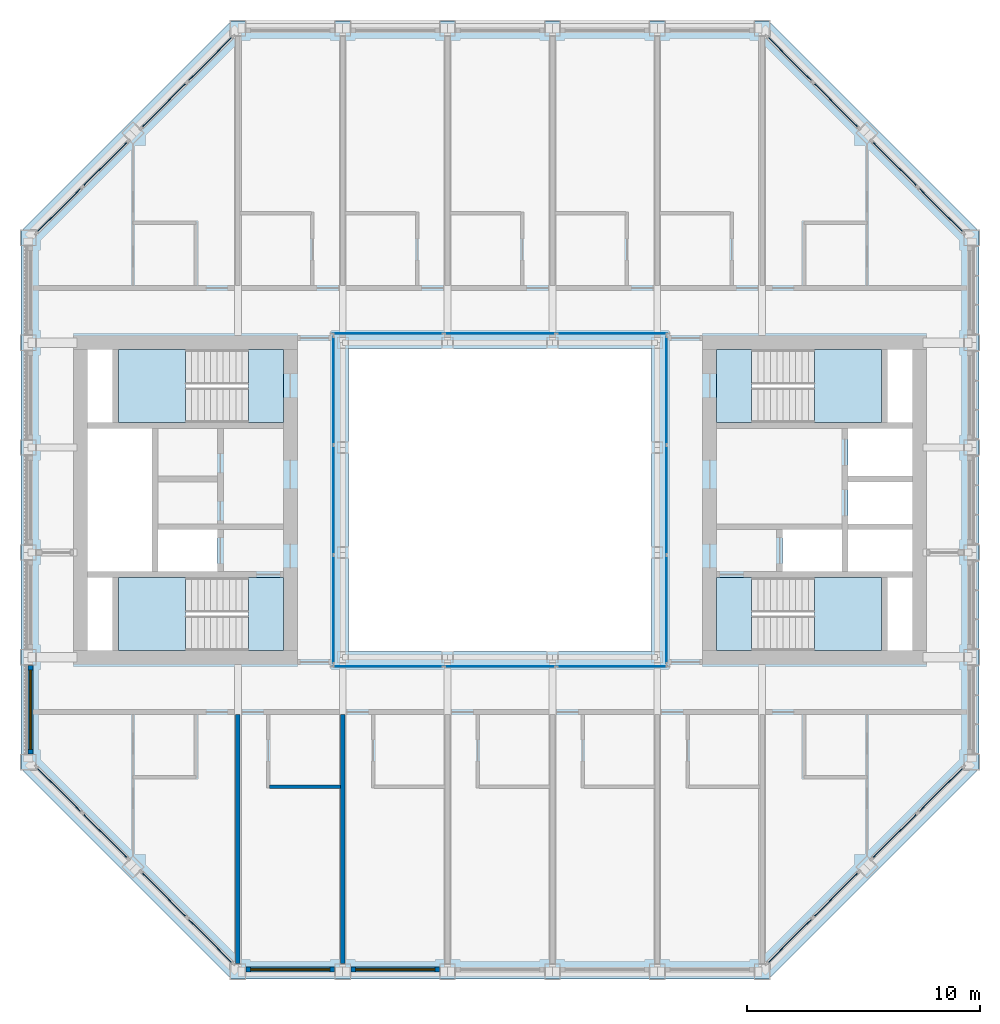
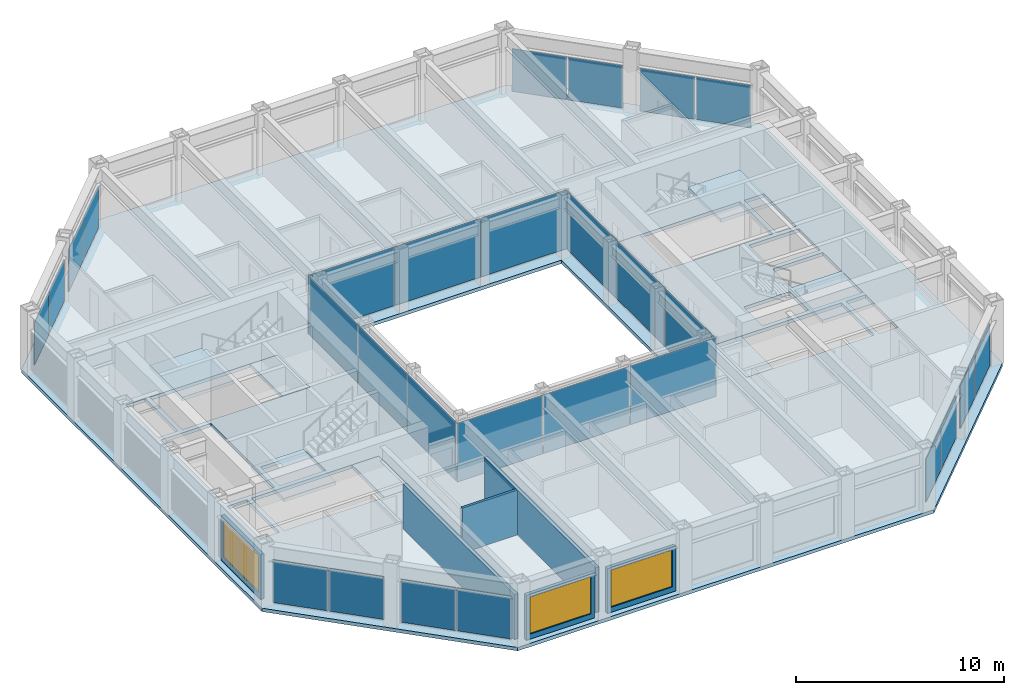
# One storey, part 8 of 18: 28 plates, 9 slabs, 6 walls, 3 windows, 3 openings, 16 elements without a shape of their own.
"""IFC4 building model written with IfcOpenShell, lengths in metres."""

import ifcopenshell
import ifcopenshell.guid

model = None  # the IFC model being written
_history = None  # IfcOwnerHistory: only IFC2X3 demands one
_inside = {}  # id of a spatial element -> (the spatial element, [elements in it])
_under = {}  # id of a project, library or spatial element -> (it, [spatial elements below it])
_declared = {}  # id of a project -> (the project, [libraries it declares])
_typed = {}  # id of a type object -> (the type object, [elements of that type])
_made_of = {}  # id of a material, layer set ... -> (it, [elements and type objects made of it])


def new_model(schema):
    """Start an empty IFC model of exactly this schema.

    Asked for "IFC4X3", IfcOpenShell would pick the latest addendum, in which some entities
    have other attributes; the version numbers below select the first issue.
    IFC2X3 requires an IfcOwnerHistory on every rooted entity: one is made here for all.
    """
    global model, _history
    if schema == "IFC4X3":
        model = ifcopenshell.file(schema_version=(4, 3, 0, 0))
    else:
        model = ifcopenshell.file(schema=schema)
    _inside.clear()
    _under.clear()
    _declared.clear()
    _typed.clear()
    _made_of.clear()
    _history = None
    if model.schema == "IFC2X3":
        org = make("IfcOrganization", Name="unknown")
        user = make(
            "IfcPersonAndOrganization",
            ThePerson=make("IfcPerson", FamilyName="unknown"),
            TheOrganization=org,
        )
        app = make(
            "IfcApplication",
            ApplicationDeveloper=org,
            Version="unknown",
            ApplicationFullName="unknown",
            ApplicationIdentifier="unknown",
        )
        _history = make(
            "IfcOwnerHistory",
            OwningUser=user,
            OwningApplication=app,
            ChangeAction="ADDED",
            CreationDate=0,
        )
    return model


def make(cls, **values):
    """One entity of the class cls with the attributes given. An attribute that is None is left unset."""
    return model.create_entity(
        cls, **{name: value for name, value in values.items() if value is not None}
    )


def rooted(cls, **values):
    """An entity with a GlobalId (a new one), such as an element, a storey or a relation."""
    return make(cls, GlobalId=ifcopenshell.guid.new(), OwnerHistory=_history, **values)


def si_unit(unit_type, name, prefix=None):
    """IfcSIUnit, for example si_unit("LENGTHUNIT", "METRE", prefix="MILLI")."""
    return make("IfcSIUnit", UnitType=unit_type, Prefix=prefix, Name=name)


def assignment(units):
    """IfcUnitAssignment: the units of a project."""
    return None if units is None else make("IfcUnitAssignment", Units=units)


def point(xyz):
    """IfcCartesianPoint."""
    return None if xyz is None else make("IfcCartesianPoint", Coordinates=xyz)


def direction(xyz):
    """IfcDirection."""
    return None if xyz is None else make("IfcDirection", DirectionRatios=xyz)


def frame(location, z_axis=None, x_axis=None):
    """IfcAxis2Placement3D, a coordinate frame: its origin and axes. An axis left out is left unset."""
    return make(
        "IfcAxis2Placement3D",
        Location=point(location),
        Axis=direction(z_axis),
        RefDirection=direction(x_axis),
    )


def frame_2d(location, x_axis=None):
    """IfcAxis2Placement2D, a coordinate frame in the plane: its origin and x axis."""
    return make(
        "IfcAxis2Placement2D", Location=point(location), RefDirection=direction(x_axis)
    )


def origin():
    """The frame at (0, 0, 0) with its axes left unset."""
    return frame((0.0, 0.0, 0.0))


def origin_2d():
    """The frame at (0, 0) in the plane with its x axis left unset."""
    return frame_2d((0.0, 0.0))


def place(relative_to, where):
    """IfcLocalPlacement: puts the frame where relative to a parent placement (None: the world)."""
    return make(
        "IfcLocalPlacement", PlacementRelTo=relative_to, RelativePlacement=where
    )


def context(
    kind, dimensions, precision=None, world=None, true_north=None, identifier=None
):
    """IfcGeometricRepresentationContext, for example the 3D "Model" context."""
    return make(
        "IfcGeometricRepresentationContext",
        ContextIdentifier=identifier,
        ContextType=kind,
        CoordinateSpaceDimension=dimensions,
        Precision=precision,
        WorldCoordinateSystem=world,
        TrueNorth=true_north,
    )


def subcontext(parent, identifier, kind, view, scale=None):
    """IfcGeometricRepresentationSubContext, for example "Body" below "Model"."""
    return make(
        "IfcGeometricRepresentationSubContext",
        ContextIdentifier=identifier,
        ContextType=kind,
        ParentContext=parent,
        TargetScale=scale,
        TargetView=view,
    )


def project(units=None, contexts=None):
    """IfcProject with its units and contexts."""
    return rooted(
        "IfcProject",
        Name="project",
        RepresentationContexts=contexts,
        UnitsInContext=assignment(units),
    )


def spatial(cls, under=None, at=None, **own):
    """A site, building, storey or space (cls), placed at a placement, below another one or the project."""
    s = rooted(cls, ObjectPlacement=at, **own)
    if under is not None:
        _under.setdefault(under.id(), (under, []))[1].append(s)
    return s


def polyline(points):
    """IfcPolyline through the points."""
    return make("IfcPolyline", Points=[point(p) for p in points])


def profile(cls, at=None, kind="AREA", **sizes):
    """A parametric profile (cls). Its sizes go by their IFC names, for example OverallWidth=200.0."""
    return make(cls, ProfileType=kind, Position=at, **sizes)


def rectangle(**sizes):
    """IfcRectangleProfileDef."""
    return profile("IfcRectangleProfileDef", **sizes)


def outline(outer, holes=None, kind="AREA"):
    """IfcArbitraryClosedProfileDef: a profile drawn as a closed curve; with holes, ...WithVoids."""
    if holes is None:
        return make("IfcArbitraryClosedProfileDef", ProfileType=kind, OuterCurve=outer)
    return make(
        "IfcArbitraryProfileDefWithVoids",
        ProfileType=kind,
        OuterCurve=outer,
        InnerCurves=holes,
    )


def extrude(swept, where, along, depth):
    """IfcExtrudedAreaSolid: the profile swept, set in the frame where, extruded along a direction by depth."""
    return make(
        "IfcExtrudedAreaSolid",
        SweptArea=swept,
        Position=where,
        ExtrudedDirection=direction(along),
        Depth=depth,
    )


def shape(context_of_items, identifier, shape_type, items):
    """IfcShapeRepresentation: the items that make up one representation, for example the "Body"."""
    return make(
        "IfcShapeRepresentation",
        ContextOfItems=context_of_items,
        RepresentationIdentifier=identifier,
        RepresentationType=shape_type,
        Items=items,
    )


def material(Name=None, Category=None):
    """IfcMaterial."""
    return make("IfcMaterial", Name=Name, Category=Category)


def layer(
    of_material, thickness, ventilated=None, Name=None, Category=None, Priority=None
):
    """IfcMaterialLayer: one layer of a wall or slab, of a material (None: an air gap)."""
    return make(
        "IfcMaterialLayer",
        Material=of_material,
        LayerThickness=thickness,
        IsVentilated=ventilated,
        Name=Name,
        Category=Category,
        Priority=Priority,
    )


def layer_set(layers, Name=None):
    """IfcMaterialLayerSet."""
    return make("IfcMaterialLayerSet", MaterialLayers=layers, LayerSetName=Name)


def made_of(thing, what):
    """Note that an element or type object is made of a material, layer set ...; save() writes the relation."""
    if what is not None:
        _made_of.setdefault(what.id(), (what, []))[1].append(thing)
    return thing


def type_object(cls, material=None, **own):
    """A type object (cls), such as IfcWallType, which elements share."""
    return made_of(rooted(cls, **own), material)


def element(
    cls,
    number,
    at=None,
    inside=None,
    cuts=None,
    type_object=None,
    material=None,
    context=None,
    identifier="Body",
    shape_type=None,
    held_by="IfcProductDefinitionShape",
    body=None,
    shapes=None,
    **own,
):
    """One element of the class cls, such as IfcWall. Its Tag is "e" and its number.

    at: its placement. inside: the storey or other place that contains it. cuts: it is an
    opening in that element (IfcRelVoidsElement). A single representation is given by context,
    identifier, shape_type and body (its items); several are given by shapes. held_by: the class
    of the entity that holds the representations. save() writes the other relations.
    """
    e = rooted(cls, Tag="e%d" % number, ObjectPlacement=at, **own)
    if body is not None:
        shapes = [shape(context, identifier, shape_type, body)]
    if shapes is not None:
        e.Representation = make(held_by, Representations=shapes)
    if inside is not None:
        _inside.setdefault(inside.id(), (inside, []))[1].append(e)
    if cuts is not None:
        rooted(
            "IfcRelVoidsElement", RelatingBuildingElement=cuts, RelatedOpeningElement=e
        )
    if type_object is not None:
        _typed.setdefault(type_object.id(), (type_object, []))[1].append(e)
    return made_of(e, material)


def fill(opening, filler):
    """IfcRelFillsElement: the door or window that sits in an opening."""
    return rooted(
        "IfcRelFillsElement",
        RelatingOpeningElement=opening,
        RelatedBuildingElement=filler,
    )


def aggregate(whole, parts):
    """IfcRelAggregates: a whole, such as a stair, and the parts it consists of."""
    return rooted("IfcRelAggregates", RelatingObject=whole, RelatedObjects=parts)


def save(model, path):
    """Write the relations noted so far, then the file.

    IfcRelAggregates (storeys below a building ...), IfcRelContainedInSpatialStructure (elements
    in a storey), IfcRelDefinesByType, IfcRelAssociatesMaterial and IfcRelDeclares: one each for
    every whole, place, type object, material and project.
    """
    for whole, parts in _under.values():
        aggregate(whole, parts)
    for where, things in _inside.values():
        rooted(
            "IfcRelContainedInSpatialStructure",
            RelatedElements=things,
            RelatingStructure=where,
        )
    for kind, things in _typed.values():
        rooted("IfcRelDefinesByType", RelatedObjects=things, RelatingType=kind)
    for what, things in _made_of.values():
        rooted("IfcRelAssociatesMaterial", RelatedObjects=things, RelatingMaterial=what)
    for by, libraries in _declared.values():
        rooted("IfcRelDeclares", RelatingContext=by, RelatedDefinitions=libraries)
    model.write(path)


model = new_model("IFC4")

# Units and contexts
model_context = context("Model", 3, precision=1e-05, world=origin(), true_north=direction((0.0, 1.0)))
body_context = subcontext(model_context, "Body", "Model", "MODEL_VIEW")
ifc_project = project(units=[si_unit("LENGTHUNIT", "METRE"), si_unit("AREAUNIT", "SQUARE_METRE"), si_unit("VOLUMEUNIT", "CUBIC_METRE"), si_unit("PLANEANGLEUNIT", "RADIAN"), si_unit("MASSUNIT", "GRAM", prefix="KILO")], contexts=[model_context])

# Site, building, storey
site_placement = place(None, origin())
site = spatial("IfcSite", under=ifc_project, at=site_placement, CompositionType="ELEMENT")
building_placement = place(site_placement, origin())
building = spatial("IfcBuilding", under=site, at=building_placement, Name="Msasa Ring Tower", CompositionType="ELEMENT")
storey_placement = place(building_placement, frame((0.0, 0.0, 208.300048828125)))
storey = spatial("IfcBuildingStorey", under=building, at=storey_placement, Name="L54", CompositionType="ELEMENT", Elevation=208.300048828125)

# Curtain wall, plates
ifc_material_1 = material(Name="Aluminium curtain wall with clear glass", Category="aluminium")
curtain_wall_type_1 = type_object("IfcCurtainWallType", Name="CW-C CHAMFER CORNER CURTAIN WALL", PredefinedType="NOTDEFINED", material=ifc_material_1)
curtain_wall_1_placement = place(storey_placement, origin())
curtain_wall_1 = element("IfcCurtainWall", 1, at=curtain_wall_1_placement, inside=storey, type_object=curtain_wall_type_1, Name="Chamfer corner curtain wall SE L54", PredefinedType="NOTDEFINED")
ifc_material_2 = material(Name="Clear laminated insulating glass unit", Category="glass")
ifc_layer_1 = layer(ifc_material_2, 0.031982421875)
ifc_layer_set_1 = layer_set([ifc_layer_1], Name="CW-C GLASS PANEL 32")
plate_type_1 = type_object("IfcPlateType", Name="CW-C GLASS PANEL 32", PredefinedType="CURTAIN_PANEL", material=ifc_layer_set_1)
plate_1_placement = place(storey_placement, frame((12.44140625, -18.917236328125, 0.06494140625), z_axis=(0.0, 0.0, 1.0), x_axis=(0.707106781187, 0.707106781187, 0.0)))
plate_1 = element("IfcPlate", 2, at=plate_1_placement, type_object=plate_type_1, Name="CW-C panel 1.1", PredefinedType="CURTAIN_PANEL", context=body_context, shape_type="SweptSolid", body=[
    extrude(rectangle(XDim=2.7294921875, YDim=0.031982421875, at=origin_2d()), origin(), (0.0, 0.0, 1.0), 2.4990234375),
])
plate_2_placement = place(storey_placement, frame((14.417236328125, -16.94140625, 0.06494140625), z_axis=(0.0, 0.0, 1.0), x_axis=(0.707106781187, 0.707106781187, 0.0)))
plate_2 = element("IfcPlate", 3, at=plate_2_placement, type_object=plate_type_1, Name="CW-C panel 2.1", PredefinedType="CURTAIN_PANEL", context=body_context, shape_type="SweptSolid", body=[
    extrude(rectangle(XDim=2.7294921875, YDim=0.031982421875, at=origin_2d()), origin(), (0.0, 0.0, 1.0), 2.4990234375),
])
aggregate(curtain_wall_1, [plate_1, plate_2])

curtain_wall_2_placement = place(storey_placement, origin())
curtain_wall_2 = element("IfcCurtainWall", 4, at=curtain_wall_2_placement, inside=storey, type_object=curtain_wall_type_1, Name="Chamfer corner curtain wall SE L54", PredefinedType="NOTDEFINED")
plate_3_placement = place(storey_placement, frame((16.94140625, -14.417236328125, 0.06494140625), z_axis=(0.0, 0.0, 1.0), x_axis=(0.707106781187, 0.707106781187, 0.0)))
plate_3 = element("IfcPlate", 5, at=plate_3_placement, type_object=plate_type_1, Name="CW-C panel 1.1", PredefinedType="CURTAIN_PANEL", context=body_context, shape_type="SweptSolid", body=[
    extrude(rectangle(XDim=2.7294921875, YDim=0.031982421875, at=origin_2d()), origin(), (0.0, 0.0, 1.0), 2.4990234375),
])
plate_4_placement = place(storey_placement, frame((18.917236328125, -12.44140625, 0.06494140625), z_axis=(0.0, 0.0, 1.0), x_axis=(0.707106781187, 0.707106781187, 0.0)))
plate_4 = element("IfcPlate", 6, at=plate_4_placement, type_object=plate_type_1, Name="CW-C panel 2.1", PredefinedType="CURTAIN_PANEL", context=body_context, shape_type="SweptSolid", body=[
    extrude(rectangle(XDim=2.7294921875, YDim=0.031982421875, at=origin_2d()), origin(), (0.0, 0.0, 1.0), 2.4990234375),
])
aggregate(curtain_wall_2, [plate_3, plate_4])

curtain_wall_3_placement = place(storey_placement, origin())
curtain_wall_3 = element("IfcCurtainWall", 7, at=curtain_wall_3_placement, inside=storey, type_object=curtain_wall_type_1, Name="Chamfer corner curtain wall NE L54", PredefinedType="NOTDEFINED")
plate_5_placement = place(storey_placement, frame((14.417236328125, 16.94140625, 0.06494140625), z_axis=(0.0, 0.0, 1.0), x_axis=(-0.707106781187, 0.707106781187, 0.0)))
plate_5 = element("IfcPlate", 8, at=plate_5_placement, type_object=plate_type_1, Name="CW-C panel 1.1", PredefinedType="CURTAIN_PANEL", context=body_context, shape_type="SweptSolid", body=[
    extrude(rectangle(XDim=2.7294921875, YDim=0.031982421875, at=origin_2d()), origin(), (0.0, 0.0, 1.0), 2.4990234375),
])
plate_6_placement = place(storey_placement, frame((12.44140625, 18.917236328125, 0.06494140625), z_axis=(0.0, 0.0, 1.0), x_axis=(-0.707106781187, 0.707106781187, 0.0)))
plate_6 = element("IfcPlate", 9, at=plate_6_placement, type_object=plate_type_1, Name="CW-C panel 2.1", PredefinedType="CURTAIN_PANEL", context=body_context, shape_type="SweptSolid", body=[
    extrude(rectangle(XDim=2.7294921875, YDim=0.031982421875, at=origin_2d()), origin(), (0.0, 0.0, 1.0), 2.4990234375),
])
aggregate(curtain_wall_3, [plate_5, plate_6])

curtain_wall_4_placement = place(storey_placement, origin())
curtain_wall_4 = element("IfcCurtainWall", 10, at=curtain_wall_4_placement, inside=storey, type_object=curtain_wall_type_1, Name="Chamfer corner curtain wall NE L54", PredefinedType="NOTDEFINED")
plate_7_placement = place(storey_placement, frame((18.917236328125, 12.44140625, 0.06494140625), z_axis=(0.0, 0.0, 1.0), x_axis=(-0.707106781187, 0.707106781187, 0.0)))
plate_7 = element("IfcPlate", 11, at=plate_7_placement, type_object=plate_type_1, Name="CW-C panel 1.1", PredefinedType="CURTAIN_PANEL", context=body_context, shape_type="SweptSolid", body=[
    extrude(rectangle(XDim=2.7294921875, YDim=0.031982421875, at=origin_2d()), origin(), (0.0, 0.0, 1.0), 2.4990234375),
])
plate_8_placement = place(storey_placement, frame((16.94140625, 14.417236328125, 0.06494140625), z_axis=(0.0, 0.0, 1.0), x_axis=(-0.707106781187, 0.707106781187, 0.0)))
plate_8 = element("IfcPlate", 12, at=plate_8_placement, type_object=plate_type_1, Name="CW-C panel 2.1", PredefinedType="CURTAIN_PANEL", context=body_context, shape_type="SweptSolid", body=[
    extrude(rectangle(XDim=2.7294921875, YDim=0.031982421875, at=origin_2d()), origin(), (0.0, 0.0, 1.0), 2.4990234375),
])
aggregate(curtain_wall_4, [plate_7, plate_8])

curtain_wall_5_placement = place(storey_placement, origin())
curtain_wall_5 = element("IfcCurtainWall", 13, at=curtain_wall_5_placement, inside=storey, type_object=curtain_wall_type_1, Name="Chamfer corner curtain wall NW L54", PredefinedType="NOTDEFINED")
plate_9_placement = place(storey_placement, frame((-16.94140625, 14.417236328125, 0.06494140625), z_axis=(0.0, 0.0, 1.0), x_axis=(-0.707106781187, -0.707106781187, 0.0)))
plate_9 = element("IfcPlate", 14, at=plate_9_placement, type_object=plate_type_1, Name="CW-C panel 1.1", PredefinedType="CURTAIN_PANEL", context=body_context, shape_type="SweptSolid", body=[
    extrude(rectangle(XDim=2.7294921875, YDim=0.031982421875, at=origin_2d()), origin(), (0.0, 0.0, 1.0), 2.4990234375),
])
plate_10_placement = place(storey_placement, frame((-18.917236328125, 12.44140625, 0.06494140625), z_axis=(0.0, 0.0, 1.0), x_axis=(-0.707106781187, -0.707106781187, 0.0)))
plate_10 = element("IfcPlate", 15, at=plate_10_placement, type_object=plate_type_1, Name="CW-C panel 2.1", PredefinedType="CURTAIN_PANEL", context=body_context, shape_type="SweptSolid", body=[
    extrude(rectangle(XDim=2.7294921875, YDim=0.031982421875, at=origin_2d()), origin(), (0.0, 0.0, 1.0), 2.4990234375),
])
aggregate(curtain_wall_5, [plate_9, plate_10])

curtain_wall_6_placement = place(storey_placement, origin())
curtain_wall_6 = element("IfcCurtainWall", 16, at=curtain_wall_6_placement, inside=storey, type_object=curtain_wall_type_1, Name="Chamfer corner curtain wall NW L54", PredefinedType="NOTDEFINED")
plate_11_placement = place(storey_placement, frame((-12.44140625, 18.917236328125, 0.06494140625), z_axis=(0.0, 0.0, 1.0), x_axis=(-0.707106781187, -0.707106781187, 0.0)))
plate_11 = element("IfcPlate", 17, at=plate_11_placement, type_object=plate_type_1, Name="CW-C panel 1.1", PredefinedType="CURTAIN_PANEL", context=body_context, shape_type="SweptSolid", body=[
    extrude(rectangle(XDim=2.7294921875, YDim=0.031982421875, at=origin_2d()), origin(), (0.0, 0.0, 1.0), 2.4990234375),
])
plate_12_placement = place(storey_placement, frame((-14.417236328125, 16.94140625, 0.06494140625), z_axis=(0.0, 0.0, 1.0), x_axis=(-0.707106781187, -0.707106781187, 0.0)))
plate_12 = element("IfcPlate", 18, at=plate_12_placement, type_object=plate_type_1, Name="CW-C panel 2.1", PredefinedType="CURTAIN_PANEL", context=body_context, shape_type="SweptSolid", body=[
    extrude(rectangle(XDim=2.7294921875, YDim=0.031982421875, at=origin_2d()), origin(), (0.0, 0.0, 1.0), 2.4990234375),
])
aggregate(curtain_wall_6, [plate_11, plate_12])

curtain_wall_7_placement = place(storey_placement, origin())
curtain_wall_7 = element("IfcCurtainWall", 19, at=curtain_wall_7_placement, inside=storey, type_object=curtain_wall_type_1, Name="Chamfer corner curtain wall SW L54", PredefinedType="NOTDEFINED")
plate_13_placement = place(storey_placement, frame((-18.917236328125, -12.44140625, 0.06494140625), z_axis=(0.0, 0.0, 1.0), x_axis=(0.707106781187, -0.707106781187, 0.0)))
plate_13 = element("IfcPlate", 20, at=plate_13_placement, type_object=plate_type_1, Name="CW-C panel 1.1", PredefinedType="CURTAIN_PANEL", context=body_context, shape_type="SweptSolid", body=[
    extrude(rectangle(XDim=2.7294921875, YDim=0.031982421875, at=origin_2d()), origin(), (0.0, 0.0, 1.0), 2.4990234375),
])
plate_14_placement = place(storey_placement, frame((-16.94140625, -14.417236328125, 0.06494140625), z_axis=(0.0, 0.0, 1.0), x_axis=(0.707106781187, -0.707106781187, 0.0)))
plate_14 = element("IfcPlate", 21, at=plate_14_placement, type_object=plate_type_1, Name="CW-C panel 2.1", PredefinedType="CURTAIN_PANEL", context=body_context, shape_type="SweptSolid", body=[
    extrude(rectangle(XDim=2.7294921875, YDim=0.031982421875, at=origin_2d()), origin(), (0.0, 0.0, 1.0), 2.4990234375),
])
aggregate(curtain_wall_7, [plate_13, plate_14])

curtain_wall_8_placement = place(storey_placement, origin())
curtain_wall_8 = element("IfcCurtainWall", 22, at=curtain_wall_8_placement, inside=storey, type_object=curtain_wall_type_1, Name="Chamfer corner curtain wall SW L54", PredefinedType="NOTDEFINED")
plate_15_placement = place(storey_placement, frame((-14.417236328125, -16.94140625, 0.06494140625), z_axis=(0.0, 0.0, 1.0), x_axis=(0.707106781187, -0.707106781187, 0.0)))
plate_15 = element("IfcPlate", 23, at=plate_15_placement, type_object=plate_type_1, Name="CW-C panel 1.1", PredefinedType="CURTAIN_PANEL", context=body_context, shape_type="SweptSolid", body=[
    extrude(rectangle(XDim=2.7294921875, YDim=0.031982421875, at=origin_2d()), origin(), (0.0, 0.0, 1.0), 2.4990234375),
])
plate_16_placement = place(storey_placement, frame((-12.44140625, -18.917236328125, 0.06494140625), z_axis=(0.0, 0.0, 1.0), x_axis=(0.707106781187, -0.707106781187, 0.0)))
plate_16 = element("IfcPlate", 24, at=plate_16_placement, type_object=plate_type_1, Name="CW-C panel 2.1", PredefinedType="CURTAIN_PANEL", context=body_context, shape_type="SweptSolid", body=[
    extrude(rectangle(XDim=2.7294921875, YDim=0.031982421875, at=origin_2d()), origin(), (0.0, 0.0, 1.0), 2.4990234375),
])
aggregate(curtain_wall_8, [plate_15, plate_16])

ifc_material_3 = material(Name="Aluminium curtain wall with clear glass", Category="aluminium")
curtain_wall_type_2 = type_object("IfcCurtainWallType", Name="CW-W LIGHT WELL CURTAIN WALL", PredefinedType="NOTDEFINED", material=ifc_material_3)
curtain_wall_9_placement = place(storey_placement, origin())
curtain_wall_9 = element("IfcCurtainWall", 25, at=curtain_wall_9_placement, inside=storey, type_object=curtain_wall_type_2, Name="Light well curtain wall N L54", PredefinedType="NOTDEFINED")
ifc_material_4 = material(Name="Clear laminated insulating glass unit", Category="glass")
ifc_layer_2 = layer(ifc_material_4, 0.028076171875)
ifc_layer_set_2 = layer_set([ifc_layer_2], Name="CW-W GLASS PANEL 28")
plate_type_2 = type_object("IfcPlateType", Name="CW-W GLASS PANEL 28", PredefinedType="CURTAIN_PANEL", material=ifc_layer_set_2)
plate_17_placement = place(storey_placement, frame((-4.804931640625, 7.14990234375, 0.06005859375), z_axis=(0.0, 0.0, 1.0), x_axis=(1.0, 0.0, 0.0)))
plate_17 = element("IfcPlate", 26, at=plate_17_placement, type_object=plate_type_2, Name="CW-W panel 1.1", PredefinedType="CURTAIN_PANEL", context=body_context, shape_type="SweptSolid", body=[
    extrude(rectangle(XDim=4.72998046875, YDim=0.028076171875, at=origin_2d()), origin(), (0.0, 0.0, 1.0), 3.429931640625),
])
plate_18_placement = place(storey_placement, frame((0.0, 7.14990234375, 0.06005859375), z_axis=(0.0, 0.0, 1.0), x_axis=(1.0, 0.0, 0.0)))
plate_18 = element("IfcPlate", 27, at=plate_18_placement, type_object=plate_type_2, Name="CW-W panel 2.1", PredefinedType="CURTAIN_PANEL", context=body_context, shape_type="SweptSolid", body=[
    extrude(rectangle(XDim=4.760009765625, YDim=0.028076171875, at=origin_2d()), origin(), (0.0, 0.0, 1.0), 3.429931640625),
])
plate_19_placement = place(storey_placement, frame((4.804931640625, 7.14990234375, 0.06005859375), z_axis=(0.0, 0.0, 1.0), x_axis=(1.0, 0.0, 0.0)))
plate_19 = element("IfcPlate", 28, at=plate_19_placement, type_object=plate_type_2, Name="CW-W panel 3.1", PredefinedType="CURTAIN_PANEL", context=body_context, shape_type="SweptSolid", body=[
    extrude(rectangle(XDim=4.72998046875, YDim=0.028076171875, at=origin_2d()), origin(), (0.0, 0.0, 1.0), 3.429931640625),
])
aggregate(curtain_wall_9, [plate_17, plate_18, plate_19])

curtain_wall_10_placement = place(storey_placement, origin())
curtain_wall_10 = element("IfcCurtainWall", 29, at=curtain_wall_10_placement, inside=storey, type_object=curtain_wall_type_2, Name="Light well curtain wall S L54", PredefinedType="NOTDEFINED")
plate_20_placement = place(storey_placement, frame((-4.804931640625, -7.14990234375, 0.06005859375), z_axis=(0.0, 0.0, 1.0), x_axis=(1.0, 0.0, 0.0)))
plate_20 = element("IfcPlate", 30, at=plate_20_placement, type_object=plate_type_2, Name="CW-W panel 1.1", PredefinedType="CURTAIN_PANEL", context=body_context, shape_type="SweptSolid", body=[
    extrude(rectangle(XDim=4.72998046875, YDim=0.028076171875, at=origin_2d()), origin(), (0.0, 0.0, 1.0), 3.429931640625),
])
plate_21_placement = place(storey_placement, frame((0.0, -7.14990234375, 0.06005859375), z_axis=(0.0, 0.0, 1.0), x_axis=(1.0, 0.0, 0.0)))
plate_21 = element("IfcPlate", 31, at=plate_21_placement, type_object=plate_type_2, Name="CW-W panel 2.1", PredefinedType="CURTAIN_PANEL", context=body_context, shape_type="SweptSolid", body=[
    extrude(rectangle(XDim=4.760009765625, YDim=0.028076171875, at=origin_2d()), origin(), (0.0, 0.0, 1.0), 3.429931640625),
])
plate_22_placement = place(storey_placement, frame((4.804931640625, -7.14990234375, 0.06005859375), z_axis=(0.0, 0.0, 1.0), x_axis=(1.0, 0.0, 0.0)))
plate_22 = element("IfcPlate", 32, at=plate_22_placement, type_object=plate_type_2, Name="CW-W panel 3.1", PredefinedType="CURTAIN_PANEL", context=body_context, shape_type="SweptSolid", body=[
    extrude(rectangle(XDim=4.72998046875, YDim=0.028076171875, at=origin_2d()), origin(), (0.0, 0.0, 1.0), 3.429931640625),
])
aggregate(curtain_wall_10, [plate_20, plate_21, plate_22])

curtain_wall_11_placement = place(storey_placement, origin())
curtain_wall_11 = element("IfcCurtainWall", 33, at=curtain_wall_11_placement, inside=storey, type_object=curtain_wall_type_2, Name="Light well curtain wall E L54", PredefinedType="NOTDEFINED")
plate_23_placement = place(storey_placement, frame((7.14990234375, -4.6982421875, 0.06005859375), z_axis=(0.0, 0.0, 1.0), x_axis=(0.0, 1.0, 0.0)))
plate_23 = element("IfcPlate", 34, at=plate_23_placement, type_object=plate_type_2, Name="CW-W panel 1.1", PredefinedType="CURTAIN_PANEL", context=body_context, shape_type="SweptSolid", body=[
    extrude(rectangle(XDim=4.623291015625, YDim=0.028076171875, at=origin_2d()), origin(), (0.0, 0.0, 1.0), 3.429931640625),
])
plate_24_placement = place(storey_placement, frame((7.14990234375, 0.0, 0.06005859375), z_axis=(0.0, 0.0, 1.0), x_axis=(0.0, 1.0, 0.0)))
plate_24 = element("IfcPlate", 35, at=plate_24_placement, type_object=plate_type_2, Name="CW-W panel 2.1", PredefinedType="CURTAIN_PANEL", context=body_context, shape_type="SweptSolid", body=[
    extrude(rectangle(XDim=4.6533203125, YDim=0.028076171875, at=origin_2d()), origin(), (0.0, 0.0, 1.0), 3.429931640625),
])
plate_25_placement = place(storey_placement, frame((7.14990234375, 4.6982421875, 0.06005859375), z_axis=(0.0, 0.0, 1.0), x_axis=(0.0, 1.0, 0.0)))
plate_25 = element("IfcPlate", 36, at=plate_25_placement, type_object=plate_type_2, Name="CW-W panel 3.1", PredefinedType="CURTAIN_PANEL", context=body_context, shape_type="SweptSolid", body=[
    extrude(rectangle(XDim=4.623291015625, YDim=0.028076171875, at=origin_2d()), origin(), (0.0, 0.0, 1.0), 3.429931640625),
])
aggregate(curtain_wall_11, [plate_23, plate_24, plate_25])

curtain_wall_12_placement = place(storey_placement, origin())
curtain_wall_12 = element("IfcCurtainWall", 37, at=curtain_wall_12_placement, inside=storey, type_object=curtain_wall_type_2, Name="Light well curtain wall W L54", PredefinedType="NOTDEFINED")
plate_26_placement = place(storey_placement, frame((-7.14990234375, -4.6982421875, 0.06005859375), z_axis=(0.0, 0.0, 1.0), x_axis=(0.0, 1.0, 0.0)))
plate_26 = element("IfcPlate", 38, at=plate_26_placement, type_object=plate_type_2, Name="CW-W panel 1.1", PredefinedType="CURTAIN_PANEL", context=body_context, shape_type="SweptSolid", body=[
    extrude(rectangle(XDim=4.623291015625, YDim=0.028076171875, at=origin_2d()), origin(), (0.0, 0.0, 1.0), 3.429931640625),
])
plate_27_placement = place(storey_placement, frame((-7.14990234375, 0.0, 0.06005859375), z_axis=(0.0, 0.0, 1.0), x_axis=(0.0, 1.0, 0.0)))
plate_27 = element("IfcPlate", 39, at=plate_27_placement, type_object=plate_type_2, Name="CW-W panel 2.1", PredefinedType="CURTAIN_PANEL", context=body_context, shape_type="SweptSolid", body=[
    extrude(rectangle(XDim=4.6533203125, YDim=0.028076171875, at=origin_2d()), origin(), (0.0, 0.0, 1.0), 3.429931640625),
])
plate_28_placement = place(storey_placement, frame((-7.14990234375, 4.6982421875, 0.06005859375), z_axis=(0.0, 0.0, 1.0), x_axis=(0.0, 1.0, 0.0)))
plate_28 = element("IfcPlate", 40, at=plate_28_placement, type_object=plate_type_2, Name="CW-W panel 3.1", PredefinedType="CURTAIN_PANEL", context=body_context, shape_type="SweptSolid", body=[
    extrude(rectangle(XDim=4.623291015625, YDim=0.028076171875, at=origin_2d()), origin(), (0.0, 0.0, 1.0), 3.429931640625),
])
aggregate(curtain_wall_12, [plate_26, plate_27, plate_28])

# Stair, slabs
ifc_material_5 = material(Name="Concrete C40/50", Category="concrete")
stair_type = type_object("IfcStairType", Name="STC CORE STAIR 22 RISERS 170.5", PredefinedType="HALF_TURN_STAIR", material=ifc_material_5)
stair_1_placement = place(storey_placement, origin())
stair_1 = element("IfcStair", 41, at=stair_1_placement, inside=storey, type_object=stair_type, Name="Core stair SEA L54", PredefinedType="HALF_TURN_STAIR")
ifc_material_6 = material(Name="Concrete C40/50", Category="concrete")
ifc_layer_3 = layer(ifc_material_6, 0.199951171875)
ifc_layer_set_3 = layer_set([ifc_layer_3], Name="LD1 CORE STAIR LANDING 200")
slab_type_1 = type_object("IfcSlabType", Name="LD1 CORE STAIR LANDING 200", PredefinedType="LANDING", material=ifc_layer_set_3)
slab_1_placement = place(storey_placement, frame((0.0, 0.0, -0.199951171875)))
slab_1 = element("IfcSlab", 42, at=slab_1_placement, type_object=slab_type_1, Name="SEA landing 1", PredefinedType="LANDING", context=body_context, shape_type="SweptSolid", body=[
    extrude(outline(polyline([(9.300048828125, -6.449951171875), (10.800048828125, -6.449951171875), (10.800048828125, -3.324951171875), (9.300048828125, -3.324951171875), (9.300048828125, -6.449951171875)])), origin(), (0.0, 0.0, 1.0), 0.199951171875),
])
slab_2_placement = place(storey_placement, frame((0.0, 0.0, 1.675048828125)))
slab_2 = element("IfcSlab", 43, at=slab_2_placement, type_object=slab_type_1, Name="SEA landing 2", PredefinedType="LANDING", context=body_context, shape_type="SweptSolid", body=[
    extrude(outline(polyline([(13.5, -6.449951171875), (16.375, -6.449951171875), (16.375, -3.324951171875), (13.5, -3.324951171875), (13.5, -6.449951171875)])), origin(), (0.0, 0.0, 1.0), 0.199951171875),
])
aggregate(stair_1, [slab_1, slab_2])

stair_2_placement = place(storey_placement, origin())
stair_2 = element("IfcStair", 44, at=stair_2_placement, inside=storey, type_object=stair_type, Name="Core stair SEB L54", PredefinedType="HALF_TURN_STAIR")
slab_3_placement = place(storey_placement, frame((0.0, 0.0, -0.199951171875)))
slab_3 = element("IfcSlab", 45, at=slab_3_placement, type_object=slab_type_1, Name="SEB landing 1", PredefinedType="LANDING", context=body_context, shape_type="SweptSolid", body=[
    extrude(outline(polyline([(9.300048828125, 3.324951171875), (10.800048828125, 3.324951171875), (10.800048828125, 6.449951171875), (9.300048828125, 6.449951171875), (9.300048828125, 3.324951171875)])), origin(), (0.0, 0.0, 1.0), 0.199951171875),
])
slab_4_placement = place(storey_placement, frame((0.0, 0.0, 1.675048828125)))
slab_4 = element("IfcSlab", 46, at=slab_4_placement, type_object=slab_type_1, Name="SEB landing 2", PredefinedType="LANDING", context=body_context, shape_type="SweptSolid", body=[
    extrude(outline(polyline([(13.5, 3.324951171875), (16.375, 3.324951171875), (16.375, 6.449951171875), (13.5, 6.449951171875), (13.5, 3.324951171875)])), origin(), (0.0, 0.0, 1.0), 0.199951171875),
])
aggregate(stair_2, [slab_3, slab_4])

stair_3_placement = place(storey_placement, origin())
stair_3 = element("IfcStair", 47, at=stair_3_placement, inside=storey, type_object=stair_type, Name="Core stair SWA L54", PredefinedType="HALF_TURN_STAIR")
slab_5_placement = place(storey_placement, frame((0.0, 0.0, -0.199951171875)))
slab_5 = element("IfcSlab", 48, at=slab_5_placement, type_object=slab_type_1, Name="SWA landing 1", PredefinedType="LANDING", context=body_context, shape_type="SweptSolid", body=[
    extrude(outline(polyline([(-10.800048828125, -6.449951171875), (-9.300048828125, -6.449951171875), (-9.300048828125, -3.324951171875), (-10.800048828125, -3.324951171875), (-10.800048828125, -6.449951171875)])), origin(), (0.0, 0.0, 1.0), 0.199951171875),
])
slab_6_placement = place(storey_placement, frame((0.0, 0.0, 1.675048828125)))
slab_6 = element("IfcSlab", 49, at=slab_6_placement, type_object=slab_type_1, Name="SWA landing 2", PredefinedType="LANDING", context=body_context, shape_type="SweptSolid", body=[
    extrude(outline(polyline([(-16.375, -6.449951171875), (-13.5, -6.449951171875), (-13.5, -3.324951171875), (-16.375, -3.324951171875), (-16.375, -6.449951171875)])), origin(), (0.0, 0.0, 1.0), 0.199951171875),
])
aggregate(stair_3, [slab_5, slab_6])

stair_4_placement = place(storey_placement, origin())
stair_4 = element("IfcStair", 50, at=stair_4_placement, inside=storey, type_object=stair_type, Name="Core stair SWB L54", PredefinedType="HALF_TURN_STAIR")
slab_7_placement = place(storey_placement, frame((0.0, 0.0, -0.199951171875)))
slab_7 = element("IfcSlab", 51, at=slab_7_placement, type_object=slab_type_1, Name="SWB landing 1", PredefinedType="LANDING", context=body_context, shape_type="SweptSolid", body=[
    extrude(outline(polyline([(-10.800048828125, 3.324951171875), (-9.300048828125, 3.324951171875), (-9.300048828125, 6.449951171875), (-10.800048828125, 6.449951171875), (-10.800048828125, 3.324951171875)])), origin(), (0.0, 0.0, 1.0), 0.199951171875),
])
slab_8_placement = place(storey_placement, frame((0.0, 0.0, 1.675048828125)))
slab_8 = element("IfcSlab", 52, at=slab_8_placement, type_object=slab_type_1, Name="SWB landing 2", PredefinedType="LANDING", context=body_context, shape_type="SweptSolid", body=[
    extrude(outline(polyline([(-16.375, 3.324951171875), (-13.5, 3.324951171875), (-13.5, 6.449951171875), (-16.375, 6.449951171875), (-16.375, 3.324951171875)])), origin(), (0.0, 0.0, 1.0), 0.199951171875),
])
aggregate(stair_4, [slab_7, slab_8])

# Slab
ifc_material_7 = material(Name="Concrete C40/50", Category="concrete")
ifc_layer_4 = layer(ifc_material_7, 0.199951171875)
ifc_layer_set_4 = layer_set([ifc_layer_4], Name="S8 SUITE FLOOR 200")
slab_type_2 = type_object("IfcSlabType", Name="S8 SUITE FLOOR 200", PredefinedType="FLOOR", material=ifc_layer_set_4)
slab_9_placement = place(storey_placement, frame((0.0, 0.0, -0.199951171875)))
element("IfcSlab", 53, at=slab_9_placement, inside=storey, type_object=slab_type_2, Name="Floor slab L54", PredefinedType="FLOOR", context=body_context, shape_type="SweptSolid", body=[
    extrude(outline(polyline([(-11.550048828125, -20.550048828125), (11.550048828125, -20.550048828125), (20.550048828125, -11.550048828125), (20.550048828125, 11.550048828125), (11.550048828125, 20.550048828125), (-11.550048828125, 20.550048828125), (-20.550048828125, 11.550048828125), (-20.550048828125, -11.550048828125), (-11.550048828125, -20.550048828125)]), holes=[polyline([(-6.5, -6.5), (6.5, -6.5), (6.5, 6.5), (-6.5, 6.5), (-6.5, -6.5)]), polyline([(9.300048828125, -6.449951171875), (16.375, -6.449951171875), (16.375, -3.324951171875), (9.300048828125, -3.324951171875), (9.300048828125, -6.449951171875)]), polyline([(9.300048828125, 3.324951171875), (16.375, 3.324951171875), (16.375, 6.449951171875), (9.300048828125, 6.449951171875), (9.300048828125, 3.324951171875)]), polyline([(12.125, -3.074951171875), (14.675048828125, -3.074951171875), (14.675048828125, -1.27490234375), (12.125, -1.27490234375), (12.125, -3.074951171875)]), polyline([(16.625, -6.449951171875), (17.699951171875, -6.449951171875), (17.699951171875, -3.324951171875), (16.625, -3.324951171875), (16.625, -6.449951171875)]), polyline([(16.625, 3.324951171875), (17.699951171875, 3.324951171875), (17.699951171875, 6.449951171875), (16.625, 6.449951171875), (16.625, 3.324951171875)]), polyline([(14.925048828125, -3.074951171875), (17.699951171875, -3.074951171875), (17.699951171875, -1.27490234375), (14.925048828125, -1.27490234375), (14.925048828125, -3.074951171875)]), polyline([(14.925048828125, -1.02490234375), (17.699951171875, -1.02490234375), (17.699951171875, 0.77490234375), (14.925048828125, 0.77490234375), (14.925048828125, -1.02490234375)]), polyline([(14.925048828125, 1.02490234375), (17.699951171875, 1.02490234375), (17.699951171875, 3.074951171875), (14.925048828125, 3.074951171875), (14.925048828125, 1.02490234375)]), polyline([(-16.375, -6.449951171875), (-9.300048828125, -6.449951171875), (-9.300048828125, -3.324951171875), (-16.375, -3.324951171875), (-16.375, -6.449951171875)]), polyline([(-16.375, 3.324951171875), (-9.300048828125, 3.324951171875), (-9.300048828125, 6.449951171875), (-16.375, 6.449951171875), (-16.375, 3.324951171875)]), polyline([(-14.675048828125, -3.074951171875), (-12.125, -3.074951171875), (-12.125, -1.27490234375), (-14.675048828125, -1.27490234375), (-14.675048828125, -3.074951171875)]), polyline([(-17.699951171875, -6.449951171875), (-16.625, -6.449951171875), (-16.625, -3.324951171875), (-17.699951171875, -3.324951171875), (-17.699951171875, -6.449951171875)]), polyline([(-17.699951171875, 3.324951171875), (-16.625, 3.324951171875), (-16.625, 6.449951171875), (-17.699951171875, 6.449951171875), (-17.699951171875, 3.324951171875)]), polyline([(-17.699951171875, -3.074951171875), (-14.925048828125, -3.074951171875), (-14.925048828125, 3.074951171875), (-17.699951171875, 3.074951171875), (-17.699951171875, -3.074951171875)])]), origin(), (0.0, 0.0, 1.0), 0.199951171875),
])

# Wall, opening, window
ifc_material_8 = material(Name="Terracotta rainscreen on blockwork", Category="masonry")
ifc_layer_5 = layer(ifc_material_8, 0.199951171875)
ifc_layer_set_5 = layer_set([ifc_layer_5], Name="FW1 TERRACOTTA-LINED INFILL BAY WALL 200")
wall_type_1 = type_object("IfcWallType", Name="FW1 TERRACOTTA-LINED INFILL BAY WALL 200", PredefinedType="SOLIDWALL", material=ifc_layer_set_5)
wall_1_placement = place(storey_placement, frame((-10.89501953125, -20.14990234375, 0.0), z_axis=(0.0, 0.0, 1.0), x_axis=(1.0, 0.0, 0.0)))
wall_1 = element("IfcWall", 54, at=wall_1_placement, inside=storey, type_object=wall_type_1, Name="Infill bay wall S L54 00", PredefinedType="SOLIDWALL", context=body_context, shape_type="SweptSolid", body=[
    extrude(rectangle(XDim=3.7900390625, YDim=0.199951171875, at=frame_2d((1.89501953125, 0.0))), origin(), (0.0, 0.0, 1.0), 2.62890625),
])
opening_1_placement = place(wall_1_placement, frame((0.195068359375, 0.0, 0.300048828125)))
opening_1 = element("IfcOpeningElement", 55, at=opening_1_placement, cuts=wall_1, Name="Opening WN3", PredefinedType="OPENING", context=body_context, shape_type="SweptSolid", body=[
    extrude(rectangle(XDim=3.39990234375, YDim=2.178955078125, at=frame_2d((1.699951171875, 1.08935546875))), frame((0.0, 0.10986328125, 0.0), z_axis=(0.0, -1.0, 0.0), x_axis=(1.0, 0.0, 0.0)), (0.0, 0.0, 1.0), 0.219970703125),
])
ifc_material_9 = material(Name="Aluminium frame with clear glass", Category="aluminium")
window_type = type_object("IfcWindowType", Name="WN3 SUITE WINDOW 3400x2179", PartitioningType="SINGLE_PANEL", PredefinedType="WINDOW", material=ifc_material_9)
window_1_placement = place(opening_1_placement, origin())
window_1 = element("IfcWindow", 56, at=window_1_placement, inside=storey, type_object=window_type, Name="Window S L54 00", OverallHeight=2.178955078125, OverallWidth=3.39990234375, PartitioningType="SINGLE_PANEL", PredefinedType="WINDOW", context=body_context, shape_type="SweptSolid", body=[
    extrude(rectangle(XDim=3.39990234375, YDim=2.178955078125, at=frame_2d((1.699951171875, 1.08935546875))), frame((0.0, 0.030029296875, 0.0), z_axis=(0.0, -1.0, 0.0), x_axis=(1.0, 0.0, 0.0)), (0.0, 0.0, 1.0), 0.06005859375),
])
fill(opening_1, window_1)

wall_2_placement = place(storey_placement, frame((-6.39501953125, -20.14990234375, 0.0), z_axis=(0.0, 0.0, 1.0), x_axis=(1.0, 0.0, 0.0)))
wall_2 = element("IfcWall", 57, at=wall_2_placement, inside=storey, type_object=wall_type_1, Name="Infill bay wall S L54 01", PredefinedType="SOLIDWALL", context=body_context, shape_type="SweptSolid", body=[
    extrude(rectangle(XDim=3.7900390625, YDim=0.199951171875, at=frame_2d((1.89501953125, 0.0))), origin(), (0.0, 0.0, 1.0), 2.62890625),
])
opening_2_placement = place(wall_2_placement, frame((0.195068359375, 0.0, 0.300048828125)))
opening_2 = element("IfcOpeningElement", 58, at=opening_2_placement, cuts=wall_2, Name="Opening WN3", PredefinedType="OPENING", context=body_context, shape_type="SweptSolid", body=[
    extrude(rectangle(XDim=3.39990234375, YDim=2.178955078125, at=frame_2d((1.699951171875, 1.08935546875))), frame((0.0, 0.10986328125, 0.0), z_axis=(0.0, -1.0, 0.0), x_axis=(1.0, 0.0, 0.0)), (0.0, 0.0, 1.0), 0.219970703125),
])
window_2_placement = place(opening_2_placement, origin())
window_2 = element("IfcWindow", 59, at=window_2_placement, inside=storey, type_object=window_type, Name="Window S L54 01", OverallHeight=2.178955078125, OverallWidth=3.39990234375, PartitioningType="SINGLE_PANEL", PredefinedType="WINDOW", context=body_context, shape_type="SweptSolid", body=[
    extrude(rectangle(XDim=3.39990234375, YDim=2.178955078125, at=frame_2d((1.699951171875, 1.08935546875))), frame((0.0, 0.030029296875, 0.0), z_axis=(0.0, -1.0, 0.0), x_axis=(1.0, 0.0, 0.0)), (0.0, 0.0, 1.0), 0.06005859375),
])
fill(opening_2, window_2)

wall_3_placement = place(storey_placement, frame((-20.14990234375, -10.89501953125, 0.0), z_axis=(0.0, 0.0, 1.0), x_axis=(0.0, 1.0, 0.0)))
wall_3 = element("IfcWall", 60, at=wall_3_placement, inside=storey, type_object=wall_type_1, Name="Infill bay wall W L54 21", PredefinedType="SOLIDWALL", context=body_context, shape_type="SweptSolid", body=[
    extrude(rectangle(XDim=3.7900390625, YDim=0.199951171875, at=frame_2d((1.89501953125, 0.0))), origin(), (0.0, 0.0, 1.0), 2.62890625),
])
opening_3_placement = place(wall_3_placement, frame((0.195068359375, 0.0, 0.300048828125)))
opening_3 = element("IfcOpeningElement", 61, at=opening_3_placement, cuts=wall_3, Name="Opening WN3", PredefinedType="OPENING", context=body_context, shape_type="SweptSolid", body=[
    extrude(rectangle(XDim=3.39990234375, YDim=2.178955078125, at=frame_2d((1.699951171875, 1.08935546875))), frame((0.0, 0.10986328125, 0.0), z_axis=(0.0, -1.0, 0.0), x_axis=(1.0, 0.0, 0.0)), (0.0, 0.0, 1.0), 0.219970703125),
])
window_3_placement = place(opening_3_placement, origin())
window_3 = element("IfcWindow", 62, at=window_3_placement, inside=storey, type_object=window_type, Name="Window W L54 21", OverallHeight=2.178955078125, OverallWidth=3.39990234375, PartitioningType="SINGLE_PANEL", PredefinedType="WINDOW", context=body_context, shape_type="SweptSolid", body=[
    extrude(rectangle(XDim=3.39990234375, YDim=2.178955078125, at=frame_2d((1.699951171875, 1.08935546875))), frame((0.0, 0.030029296875, 0.0), z_axis=(0.0, -1.0, 0.0), x_axis=(1.0, 0.0, 0.0)), (0.0, 0.0, 1.0), 0.06005859375),
])
fill(opening_3, window_3)

# Walls
ifc_material_10 = material(Name="Dense concrete blockwork, plastered both faces", Category="masonry")
ifc_layer_6 = layer(ifc_material_10, 0.25)
ifc_layer_set_6 = layer_set([ifc_layer_6], Name="PT3 APARTMENT SEPARATING WALL 250")
wall_type_2 = type_object("IfcWallType", Name="PT3 APARTMENT SEPARATING WALL 250", PredefinedType="PARTITIONING", material=ifc_layer_set_6)
for number, where, z_axis, x_axis, name in (
    (63, (-11.25, -19.89990234375, 0.0), (0.0, 0.0, 1.0), (0.0, 1.0, 0.0), "Party wall L54-PWS-11.25"),
    (64, (-6.75, -19.89990234375, 0.0), (0.0, 0.0, 1.0), (0.0, 1.0, 0.0), "Party wall L54-PWS-6.75"),
):
    element("IfcWall", number, at=place(storey_placement, frame(where, z_axis=z_axis, x_axis=x_axis)), inside=storey, type_object=wall_type_2, Name=name, PredefinedType="PARTITIONING", context=body_context, shape_type="SweptSolid", body=[
        extrude(rectangle(XDim=10.699951171875, YDim=0.199951171875, at=frame_2d((5.35009765625, 0.0))), origin(), (0.0, 0.0, 1.0), 2.62890625),
    ])
ifc_material_11 = material(Name="Moisture-resistant board on steel studs with a concealed cistern and pipe void, tiled", Category="steel")
ifc_layer_7 = layer(ifc_material_11, 0.14990234375)
ifc_layer_set_7 = layer_set([ifc_layer_7], Name="PT4 BATHROOM WET WALL 150")
wall_type_3 = type_object("IfcWallType", Name="PT4 BATHROOM WET WALL 150", PredefinedType="PARTITIONING", material=ifc_layer_set_7)
wall_4_placement = place(storey_placement, frame((-9.89990234375, -12.300048828125, 0.0), z_axis=(0.0, 0.0, 1.0), x_axis=(1.0, 0.0, 0.0)))
element("IfcWall", 65, at=wall_4_placement, inside=storey, type_object=wall_type_3, Name="Partition L54-JS00BY", PredefinedType="PARTITIONING", context=body_context, shape_type="SweptSolid", body=[
    extrude(rectangle(XDim=3.0498046875, YDim=0.14990234375, at=frame_2d((1.52490234375, 0.0))), origin(), (0.0, 0.0, 1.0), 2.62890625),
])

save(model, "model.ifc")
